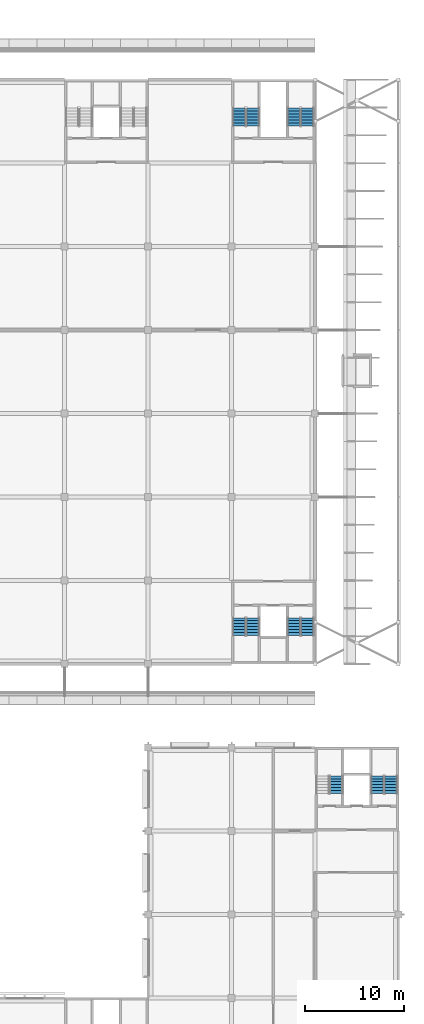
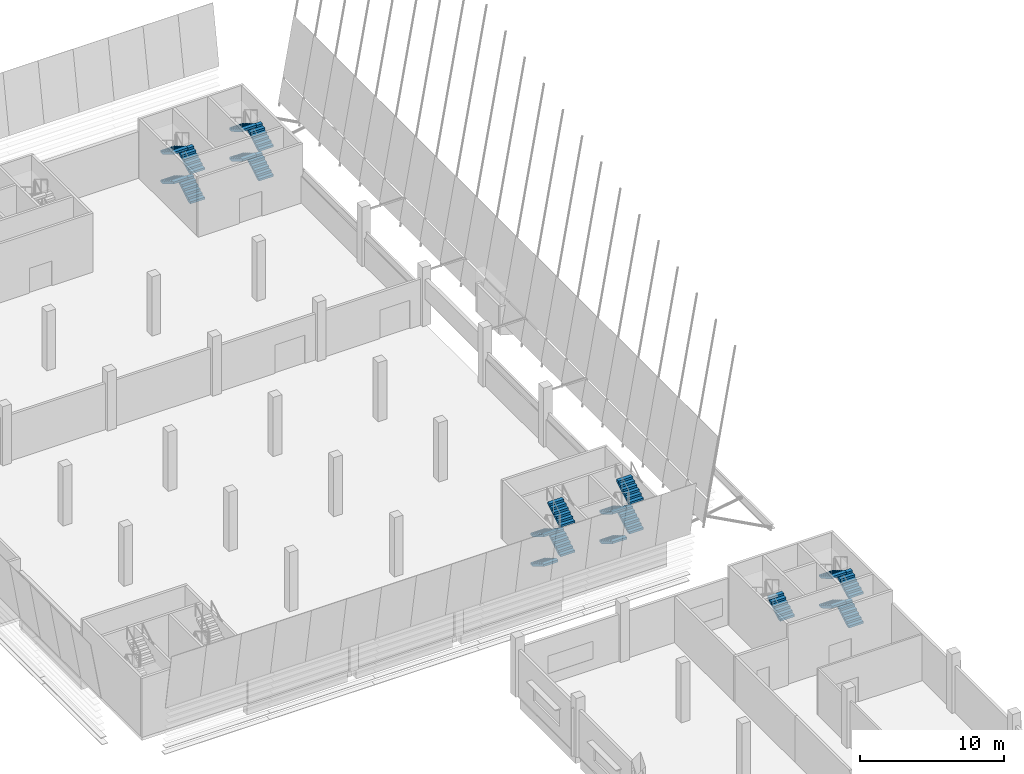
# One storey, part 31 of 82: 21 stair flights, 6 elements without a shape of their own.
"""IFC4 building model written with IfcOpenShell, lengths in metres."""

from ifc_helpers import new_model, si_unit, direction, frame, origin, place, context, subcontext, project, spatial, polyline, outline, extrude, material, type_object, element, aggregate, save


model = new_model("IFC4")

# Units and contexts
model_context = context("Model", 3, precision=1e-05, world=origin(), true_north=direction((0.0, 1.0)))
body_context = subcontext(model_context, "Body", "Model", "MODEL_VIEW")
ifc_project = project(units=[si_unit("LENGTHUNIT", "METRE"), si_unit("AREAUNIT", "SQUARE_METRE"), si_unit("VOLUMEUNIT", "CUBIC_METRE"), si_unit("PLANEANGLEUNIT", "RADIAN"), si_unit("MASSUNIT", "GRAM", prefix="KILO")], contexts=[model_context])

# Site, building, storey
site_placement = place(None, origin())
site = spatial("IfcSite", under=ifc_project, at=site_placement, CompositionType="ELEMENT")
building_placement = place(site_placement, origin())
building = spatial("IfcBuilding", under=site, at=building_placement, Name="Almond Square Museum", CompositionType="ELEMENT")
storey_placement = place(building_placement, frame((0.0, 0.0, 20.0)))
storey = spatial("IfcBuildingStorey", under=building, at=storey_placement, Name="L03", CompositionType="ELEMENT", Elevation=20.0)

# Stair, stair flights
ifc_material_1 = material(Name="Concrete C40/50", Category="concrete")
stair_type = type_object("IfcStairType", Name="Exit stair 28 risers of 179 mm", PredefinedType="HALF_TURN_STAIR", material=ifc_material_1)
stair_1_placement = place(storey_placement, origin())
stair_1 = element("IfcStair", 1, at=stair_1_placement, inside=storey, type_object=stair_type, Name="L03 stair H2-1", PredefinedType="HALF_TURN_STAIR")
ifc_material_2 = material(Name="Concrete C40/50", Category="concrete")
stair_flight_type = type_object("IfcStairFlightType", Name="Concrete flight", PredefinedType="STRAIGHT", material=ifc_material_2)
stair_flight_1_placement = place(storey_placement, frame((141.175048828125, 55.050048828125, 0.0), z_axis=(0.0, 0.0, 1.0), x_axis=(0.0, -1.0, 0.0)))
stair_flight_1 = element("IfcStairFlight", 2, at=stair_flight_1_placement, type_object=stair_flight_type, Name="ST-03 flight 1", NumberOfRisers=7, NumberOfTreads=6, PredefinedType="STRAIGHT", RiserHeight=0.178571429, TreadLength=0.3, context=body_context, shape_type="SweptSolid", body=[
    extrude(outline(polyline([(0.0, 0.0), (0.0, 0.178466796875), (0.300048828125, 0.178466796875), (0.300048828125, 0.357177734375), (0.60009765625, 0.357177734375), (0.60009765625, 0.53564453125), (0.89990234375, 0.53564453125), (0.89990234375, 0.71435546875), (1.199951171875, 0.71435546875), (1.199951171875, 0.892822265625), (1.5, 0.892822265625), (1.5, 1.071533203125), (1.800048828125, 1.071533203125), (1.800048828125, 1.25), (1.800048828125, 0.89697265625), (0.29296875, 0.0), (0.0, 0.0)])), frame((0.0, 0.574951171875, 0.0), z_axis=(0.0, -1.0, 0.0), x_axis=(1.0, 0.0, 0.0)), (0.0, 0.0, 1.0), 1.14990234375),
])
stair_flight_2_placement = place(storey_placement, frame((142.52490234375, 53.25, 1.25), z_axis=(0.0, 0.0, 1.0), x_axis=(0.0, 1.0, 0.0)))
stair_flight_2 = element("IfcStairFlight", 3, at=stair_flight_2_placement, type_object=stair_flight_type, Name="ST-03 flight 2", NumberOfRisers=7, NumberOfTreads=6, PredefinedType="STRAIGHT", RiserHeight=0.178571429, TreadLength=0.3, context=body_context, shape_type="SweptSolid", body=[
    extrude(outline(polyline([(0.0, 0.0), (0.0, 0.178466796875), (0.300048828125, 0.178466796875), (0.300048828125, 0.357177734375), (0.60009765625, 0.357177734375), (0.60009765625, 0.53564453125), (0.89990234375, 0.53564453125), (0.89990234375, 0.71435546875), (1.199951171875, 0.71435546875), (1.199951171875, 0.892822265625), (1.5, 0.892822265625), (1.5, 1.071533203125), (1.800048828125, 1.071533203125), (1.800048828125, 1.25), (1.800048828125, 0.89697265625), (0.29296875, 0.0), (0.0, 0.0)])), frame((0.0, 0.574951171875, 0.0), z_axis=(0.0, -1.0, 0.0), x_axis=(1.0, 0.0, 0.0)), (0.0, 0.0, 1.0), 1.14990234375),
])
stair_flight_3_placement = place(storey_placement, frame((141.175048828125, 55.050048828125, 2.5), z_axis=(0.0, 0.0, 1.0), x_axis=(0.0, -1.0, 0.0)))
stair_flight_3 = element("IfcStairFlight", 4, at=stair_flight_3_placement, type_object=stair_flight_type, Name="ST-03 flight 3", NumberOfRisers=7, NumberOfTreads=6, PredefinedType="STRAIGHT", RiserHeight=0.178571429, TreadLength=0.3, context=body_context, shape_type="SweptSolid", body=[
    extrude(outline(polyline([(0.0, 0.0), (0.0, 0.178466796875), (0.300048828125, 0.178466796875), (0.300048828125, 0.357177734375), (0.60009765625, 0.357177734375), (0.60009765625, 0.53564453125), (0.89990234375, 0.53564453125), (0.89990234375, 0.71435546875), (1.199951171875, 0.71435546875), (1.199951171875, 0.892822265625), (1.5, 0.892822265625), (1.5, 1.071533203125), (1.800048828125, 1.071533203125), (1.800048828125, 1.25), (1.800048828125, 0.89697265625), (0.29296875, 0.0), (0.0, 0.0)])), frame((0.0, 0.574951171875, 0.0), z_axis=(0.0, -1.0, 0.0), x_axis=(1.0, 0.0, 0.0)), (0.0, 0.0, 1.0), 1.14990234375),
])
stair_flight_4_placement = place(storey_placement, frame((142.52490234375, 53.25, 3.75), z_axis=(0.0, 0.0, 1.0), x_axis=(0.0, 1.0, 0.0)))
stair_flight_4 = element("IfcStairFlight", 5, at=stair_flight_4_placement, type_object=stair_flight_type, Name="ST-03 flight 4", NumberOfRisers=7, NumberOfTreads=6, PredefinedType="STRAIGHT", RiserHeight=0.178571429, TreadLength=0.3, context=body_context, shape_type="SweptSolid", body=[
    extrude(outline(polyline([(0.0, 0.0), (0.0, 0.178466796875), (0.300048828125, 0.178466796875), (0.300048828125, 0.357177734375), (0.60009765625, 0.357177734375), (0.60009765625, 0.53564453125), (0.89990234375, 0.53564453125), (0.89990234375, 0.71435546875), (1.199951171875, 0.71435546875), (1.199951171875, 0.892822265625), (1.5, 0.892822265625), (1.5, 1.071533203125), (1.800048828125, 1.071533203125), (1.800048828125, 1.25), (1.800048828125, 0.89697265625), (0.29296875, 0.0), (0.0, 0.0)])), frame((0.0, 0.574951171875, 0.0), z_axis=(0.0, -1.0, 0.0), x_axis=(1.0, 0.0, 0.0)), (0.0, 0.0, 1.0), 1.14990234375),
])
aggregate(stair_1, [stair_flight_1, stair_flight_2, stair_flight_3, stair_flight_4])

stair_2_placement = place(storey_placement, origin())
stair_2 = element("IfcStair", 6, at=stair_2_placement, inside=storey, type_object=stair_type, Name="L03 stair H2-2", PredefinedType="HALF_TURN_STAIR")
stair_flight_5_placement = place(storey_placement, frame((146.675048828125, 55.050048828125, 0.0), z_axis=(0.0, 0.0, 1.0), x_axis=(0.0, -1.0, 0.0)))
stair_flight_5 = element("IfcStairFlight", 7, at=stair_flight_5_placement, type_object=stair_flight_type, Name="ST-04 flight 1", NumberOfRisers=7, NumberOfTreads=6, PredefinedType="STRAIGHT", RiserHeight=0.178571429, TreadLength=0.3, context=body_context, shape_type="SweptSolid", body=[
    extrude(outline(polyline([(0.0, 0.0), (0.0, 0.178466796875), (0.300048828125, 0.178466796875), (0.300048828125, 0.357177734375), (0.60009765625, 0.357177734375), (0.60009765625, 0.53564453125), (0.89990234375, 0.53564453125), (0.89990234375, 0.71435546875), (1.199951171875, 0.71435546875), (1.199951171875, 0.892822265625), (1.5, 0.892822265625), (1.5, 1.071533203125), (1.800048828125, 1.071533203125), (1.800048828125, 1.25), (1.800048828125, 0.89697265625), (0.29296875, 0.0), (0.0, 0.0)])), frame((0.0, 0.574951171875, 0.0), z_axis=(0.0, -1.0, 0.0), x_axis=(1.0, 0.0, 0.0)), (0.0, 0.0, 1.0), 1.14990234375),
])
stair_flight_6_placement = place(storey_placement, frame((148.02490234375, 53.25, 1.25), z_axis=(0.0, 0.0, 1.0), x_axis=(0.0, 1.0, 0.0)))
stair_flight_6 = element("IfcStairFlight", 8, at=stair_flight_6_placement, type_object=stair_flight_type, Name="ST-04 flight 2", NumberOfRisers=7, NumberOfTreads=6, PredefinedType="STRAIGHT", RiserHeight=0.178571429, TreadLength=0.3, context=body_context, shape_type="SweptSolid", body=[
    extrude(outline(polyline([(0.0, 0.0), (0.0, 0.178466796875), (0.300048828125, 0.178466796875), (0.300048828125, 0.357177734375), (0.60009765625, 0.357177734375), (0.60009765625, 0.53564453125), (0.89990234375, 0.53564453125), (0.89990234375, 0.71435546875), (1.199951171875, 0.71435546875), (1.199951171875, 0.892822265625), (1.5, 0.892822265625), (1.5, 1.071533203125), (1.800048828125, 1.071533203125), (1.800048828125, 1.25), (1.800048828125, 0.89697265625), (0.29296875, 0.0), (0.0, 0.0)])), frame((0.0, 0.574951171875, 0.0), z_axis=(0.0, -1.0, 0.0), x_axis=(1.0, 0.0, 0.0)), (0.0, 0.0, 1.0), 1.14990234375),
])
stair_flight_7_placement = place(storey_placement, frame((146.675048828125, 55.050048828125, 2.5), z_axis=(0.0, 0.0, 1.0), x_axis=(0.0, -1.0, 0.0)))
stair_flight_7 = element("IfcStairFlight", 9, at=stair_flight_7_placement, type_object=stair_flight_type, Name="ST-04 flight 3", NumberOfRisers=7, NumberOfTreads=6, PredefinedType="STRAIGHT", RiserHeight=0.178571429, TreadLength=0.3, context=body_context, shape_type="SweptSolid", body=[
    extrude(outline(polyline([(0.0, 0.0), (0.0, 0.178466796875), (0.300048828125, 0.178466796875), (0.300048828125, 0.357177734375), (0.60009765625, 0.357177734375), (0.60009765625, 0.53564453125), (0.89990234375, 0.53564453125), (0.89990234375, 0.71435546875), (1.199951171875, 0.71435546875), (1.199951171875, 0.892822265625), (1.5, 0.892822265625), (1.5, 1.071533203125), (1.800048828125, 1.071533203125), (1.800048828125, 1.25), (1.800048828125, 0.89697265625), (0.29296875, 0.0), (0.0, 0.0)])), frame((0.0, 0.574951171875, 0.0), z_axis=(0.0, -1.0, 0.0), x_axis=(1.0, 0.0, 0.0)), (0.0, 0.0, 1.0), 1.14990234375),
])
stair_flight_8_placement = place(storey_placement, frame((148.02490234375, 53.25, 3.75), z_axis=(0.0, 0.0, 1.0), x_axis=(0.0, 1.0, 0.0)))
stair_flight_8 = element("IfcStairFlight", 10, at=stair_flight_8_placement, type_object=stair_flight_type, Name="ST-04 flight 4", NumberOfRisers=7, NumberOfTreads=6, PredefinedType="STRAIGHT", RiserHeight=0.178571429, TreadLength=0.3, context=body_context, shape_type="SweptSolid", body=[
    extrude(outline(polyline([(0.0, 0.0), (0.0, 0.178466796875), (0.300048828125, 0.178466796875), (0.300048828125, 0.357177734375), (0.60009765625, 0.357177734375), (0.60009765625, 0.53564453125), (0.89990234375, 0.53564453125), (0.89990234375, 0.71435546875), (1.199951171875, 0.71435546875), (1.199951171875, 0.892822265625), (1.5, 0.892822265625), (1.5, 1.071533203125), (1.800048828125, 1.071533203125), (1.800048828125, 1.25), (1.800048828125, 0.89697265625), (0.29296875, 0.0), (0.0, 0.0)])), frame((0.0, 0.574951171875, 0.0), z_axis=(0.0, -1.0, 0.0), x_axis=(1.0, 0.0, 0.0)), (0.0, 0.0, 1.0), 1.14990234375),
])
aggregate(stair_2, [stair_flight_5, stair_flight_6, stair_flight_7, stair_flight_8])

stair_3_placement = place(storey_placement, origin())
stair_3 = element("IfcStair", 11, at=stair_3_placement, inside=storey, type_object=stair_type, Name="L03 stair H3-1", PredefinedType="HALF_TURN_STAIR")
stair_flight_9_placement = place(storey_placement, frame((142.52490234375, 104.550048828125, 0.0), z_axis=(0.0, 0.0, 1.0), x_axis=(0.0, 1.0, 0.0)))
stair_flight_9 = element("IfcStairFlight", 12, at=stair_flight_9_placement, type_object=stair_flight_type, Name="ST-05 flight 1", NumberOfRisers=7, NumberOfTreads=6, PredefinedType="STRAIGHT", RiserHeight=0.178571429, TreadLength=0.3, context=body_context, shape_type="SweptSolid", body=[
    extrude(outline(polyline([(0.0, 0.0), (0.0, 0.178466796875), (0.300048828125, 0.178466796875), (0.300048828125, 0.357177734375), (0.60009765625, 0.357177734375), (0.60009765625, 0.53564453125), (0.89990234375, 0.53564453125), (0.89990234375, 0.71435546875), (1.199951171875, 0.71435546875), (1.199951171875, 0.892822265625), (1.5, 0.892822265625), (1.5, 1.071533203125), (1.800048828125, 1.071533203125), (1.800048828125, 1.25), (1.800048828125, 0.89697265625), (0.29296875, 0.0), (0.0, 0.0)])), frame((0.0, 0.574951171875, 0.0), z_axis=(0.0, -1.0, 0.0), x_axis=(1.0, 0.0, 0.0)), (0.0, 0.0, 1.0), 1.14990234375),
])
stair_flight_10_placement = place(storey_placement, frame((141.175048828125, 106.35009765625, 1.25), z_axis=(0.0, 0.0, 1.0), x_axis=(0.0, -1.0, 0.0)))
stair_flight_10 = element("IfcStairFlight", 13, at=stair_flight_10_placement, type_object=stair_flight_type, Name="ST-05 flight 2", NumberOfRisers=7, NumberOfTreads=6, PredefinedType="STRAIGHT", RiserHeight=0.178571429, TreadLength=0.3, context=body_context, shape_type="SweptSolid", body=[
    extrude(outline(polyline([(0.0, 0.0), (0.0, 0.178466796875), (0.300048828125, 0.178466796875), (0.300048828125, 0.357177734375), (0.60009765625, 0.357177734375), (0.60009765625, 0.53564453125), (0.89990234375, 0.53564453125), (0.89990234375, 0.71435546875), (1.199951171875, 0.71435546875), (1.199951171875, 0.892822265625), (1.5, 0.892822265625), (1.5, 1.071533203125), (1.800048828125, 1.071533203125), (1.800048828125, 1.25), (1.800048828125, 0.89697265625), (0.29296875, 0.0), (0.0, 0.0)])), frame((0.0, 0.574951171875, 0.0), z_axis=(0.0, -1.0, 0.0), x_axis=(1.0, 0.0, 0.0)), (0.0, 0.0, 1.0), 1.14990234375),
])
stair_flight_11_placement = place(storey_placement, frame((142.52490234375, 104.550048828125, 2.5), z_axis=(0.0, 0.0, 1.0), x_axis=(0.0, 1.0, 0.0)))
stair_flight_11 = element("IfcStairFlight", 14, at=stair_flight_11_placement, type_object=stair_flight_type, Name="ST-05 flight 3", NumberOfRisers=7, NumberOfTreads=6, PredefinedType="STRAIGHT", RiserHeight=0.178571429, TreadLength=0.3, context=body_context, shape_type="SweptSolid", body=[
    extrude(outline(polyline([(0.0, 0.0), (0.0, 0.178466796875), (0.300048828125, 0.178466796875), (0.300048828125, 0.357177734375), (0.60009765625, 0.357177734375), (0.60009765625, 0.53564453125), (0.89990234375, 0.53564453125), (0.89990234375, 0.71435546875), (1.199951171875, 0.71435546875), (1.199951171875, 0.892822265625), (1.5, 0.892822265625), (1.5, 1.071533203125), (1.800048828125, 1.071533203125), (1.800048828125, 1.25), (1.800048828125, 0.89697265625), (0.29296875, 0.0), (0.0, 0.0)])), frame((0.0, 0.574951171875, 0.0), z_axis=(0.0, -1.0, 0.0), x_axis=(1.0, 0.0, 0.0)), (0.0, 0.0, 1.0), 1.14990234375),
])
stair_flight_12_placement = place(storey_placement, frame((141.175048828125, 106.35009765625, 3.75), z_axis=(0.0, 0.0, 1.0), x_axis=(0.0, -1.0, 0.0)))
stair_flight_12 = element("IfcStairFlight", 15, at=stair_flight_12_placement, type_object=stair_flight_type, Name="ST-05 flight 4", NumberOfRisers=7, NumberOfTreads=6, PredefinedType="STRAIGHT", RiserHeight=0.178571429, TreadLength=0.3, context=body_context, shape_type="SweptSolid", body=[
    extrude(outline(polyline([(0.0, 0.0), (0.0, 0.178466796875), (0.300048828125, 0.178466796875), (0.300048828125, 0.357177734375), (0.60009765625, 0.357177734375), (0.60009765625, 0.53564453125), (0.89990234375, 0.53564453125), (0.89990234375, 0.71435546875), (1.199951171875, 0.71435546875), (1.199951171875, 0.892822265625), (1.5, 0.892822265625), (1.5, 1.071533203125), (1.800048828125, 1.071533203125), (1.800048828125, 1.25), (1.800048828125, 0.89697265625), (0.29296875, 0.0), (0.0, 0.0)])), frame((0.0, 0.574951171875, 0.0), z_axis=(0.0, -1.0, 0.0), x_axis=(1.0, 0.0, 0.0)), (0.0, 0.0, 1.0), 1.14990234375),
])
aggregate(stair_3, [stair_flight_9, stair_flight_10, stair_flight_11, stair_flight_12])

stair_4_placement = place(storey_placement, origin())
stair_4 = element("IfcStair", 16, at=stair_4_placement, inside=storey, type_object=stair_type, Name="L03 stair H3-2", PredefinedType="HALF_TURN_STAIR")
stair_flight_13_placement = place(storey_placement, frame((148.02490234375, 104.550048828125, 0.0), z_axis=(0.0, 0.0, 1.0), x_axis=(0.0, 1.0, 0.0)))
stair_flight_13 = element("IfcStairFlight", 17, at=stair_flight_13_placement, type_object=stair_flight_type, Name="ST-06 flight 1", NumberOfRisers=7, NumberOfTreads=6, PredefinedType="STRAIGHT", RiserHeight=0.178571429, TreadLength=0.3, context=body_context, shape_type="SweptSolid", body=[
    extrude(outline(polyline([(0.0, 0.0), (0.0, 0.178466796875), (0.300048828125, 0.178466796875), (0.300048828125, 0.357177734375), (0.60009765625, 0.357177734375), (0.60009765625, 0.53564453125), (0.89990234375, 0.53564453125), (0.89990234375, 0.71435546875), (1.199951171875, 0.71435546875), (1.199951171875, 0.892822265625), (1.5, 0.892822265625), (1.5, 1.071533203125), (1.800048828125, 1.071533203125), (1.800048828125, 1.25), (1.800048828125, 0.89697265625), (0.29296875, 0.0), (0.0, 0.0)])), frame((0.0, 0.574951171875, 0.0), z_axis=(0.0, -1.0, 0.0), x_axis=(1.0, 0.0, 0.0)), (0.0, 0.0, 1.0), 1.14990234375),
])
stair_flight_14_placement = place(storey_placement, frame((146.675048828125, 106.35009765625, 1.25), z_axis=(0.0, 0.0, 1.0), x_axis=(0.0, -1.0, 0.0)))
stair_flight_14 = element("IfcStairFlight", 18, at=stair_flight_14_placement, type_object=stair_flight_type, Name="ST-06 flight 2", NumberOfRisers=7, NumberOfTreads=6, PredefinedType="STRAIGHT", RiserHeight=0.178571429, TreadLength=0.3, context=body_context, shape_type="SweptSolid", body=[
    extrude(outline(polyline([(0.0, 0.0), (0.0, 0.178466796875), (0.300048828125, 0.178466796875), (0.300048828125, 0.357177734375), (0.60009765625, 0.357177734375), (0.60009765625, 0.53564453125), (0.89990234375, 0.53564453125), (0.89990234375, 0.71435546875), (1.199951171875, 0.71435546875), (1.199951171875, 0.892822265625), (1.5, 0.892822265625), (1.5, 1.071533203125), (1.800048828125, 1.071533203125), (1.800048828125, 1.25), (1.800048828125, 0.89697265625), (0.29296875, 0.0), (0.0, 0.0)])), frame((0.0, 0.574951171875, 0.0), z_axis=(0.0, -1.0, 0.0), x_axis=(1.0, 0.0, 0.0)), (0.0, 0.0, 1.0), 1.14990234375),
])
stair_flight_15_placement = place(storey_placement, frame((148.02490234375, 104.550048828125, 2.5), z_axis=(0.0, 0.0, 1.0), x_axis=(0.0, 1.0, 0.0)))
stair_flight_15 = element("IfcStairFlight", 19, at=stair_flight_15_placement, type_object=stair_flight_type, Name="ST-06 flight 3", NumberOfRisers=7, NumberOfTreads=6, PredefinedType="STRAIGHT", RiserHeight=0.178571429, TreadLength=0.3, context=body_context, shape_type="SweptSolid", body=[
    extrude(outline(polyline([(0.0, 0.0), (0.0, 0.178466796875), (0.300048828125, 0.178466796875), (0.300048828125, 0.357177734375), (0.60009765625, 0.357177734375), (0.60009765625, 0.53564453125), (0.89990234375, 0.53564453125), (0.89990234375, 0.71435546875), (1.199951171875, 0.71435546875), (1.199951171875, 0.892822265625), (1.5, 0.892822265625), (1.5, 1.071533203125), (1.800048828125, 1.071533203125), (1.800048828125, 1.25), (1.800048828125, 0.89697265625), (0.29296875, 0.0), (0.0, 0.0)])), frame((0.0, 0.574951171875, 0.0), z_axis=(0.0, -1.0, 0.0), x_axis=(1.0, 0.0, 0.0)), (0.0, 0.0, 1.0), 1.14990234375),
])
stair_flight_16_placement = place(storey_placement, frame((146.675048828125, 106.35009765625, 3.75), z_axis=(0.0, 0.0, 1.0), x_axis=(0.0, -1.0, 0.0)))
stair_flight_16 = element("IfcStairFlight", 20, at=stair_flight_16_placement, type_object=stair_flight_type, Name="ST-06 flight 4", NumberOfRisers=7, NumberOfTreads=6, PredefinedType="STRAIGHT", RiserHeight=0.178571429, TreadLength=0.3, context=body_context, shape_type="SweptSolid", body=[
    extrude(outline(polyline([(0.0, 0.0), (0.0, 0.178466796875), (0.300048828125, 0.178466796875), (0.300048828125, 0.357177734375), (0.60009765625, 0.357177734375), (0.60009765625, 0.53564453125), (0.89990234375, 0.53564453125), (0.89990234375, 0.71435546875), (1.199951171875, 0.71435546875), (1.199951171875, 0.892822265625), (1.5, 0.892822265625), (1.5, 1.071533203125), (1.800048828125, 1.071533203125), (1.800048828125, 1.25), (1.800048828125, 0.89697265625), (0.29296875, 0.0), (0.0, 0.0)])), frame((0.0, 0.574951171875, 0.0), z_axis=(0.0, -1.0, 0.0), x_axis=(1.0, 0.0, 0.0)), (0.0, 0.0, 1.0), 1.14990234375),
])
aggregate(stair_4, [stair_flight_13, stair_flight_14, stair_flight_15, stair_flight_16])

# Stair, stair flight
stair_5_placement = place(storey_placement, origin())
stair_5 = element("IfcStair", 21, at=stair_5_placement, inside=storey, type_object=stair_type, Name="L03 stair X1-1", PredefinedType="HALF_TURN_STAIR")
stair_flight_17_placement = place(storey_placement, frame((150.925048828125, 37.35009765625, 2.5), z_axis=(0.0, 0.0, 1.0), x_axis=(0.0, 1.0, 0.0)))
stair_flight_17 = element("IfcStairFlight", 22, at=stair_flight_17_placement, type_object=stair_flight_type, Name="ST-33 flight 3", NumberOfRisers=7, NumberOfTreads=6, PredefinedType="STRAIGHT", RiserHeight=0.178571429, TreadLength=0.3, context=body_context, shape_type="SweptSolid", body=[
    extrude(outline(polyline([(0.0, 0.0), (0.0, 0.178466796875), (0.300048828125, 0.178466796875), (0.300048828125, 0.357177734375), (0.60009765625, 0.357177734375), (0.60009765625, 0.53564453125), (0.89990234375, 0.53564453125), (0.89990234375, 0.71435546875), (1.199951171875, 0.71435546875), (1.199951171875, 0.892822265625), (1.5, 0.892822265625), (1.5, 1.071533203125), (1.800048828125, 1.071533203125), (1.800048828125, 1.25), (1.800048828125, 0.89697265625), (0.29296875, 0.0), (0.0, 0.0)])), frame((0.0, 0.574951171875, 0.0), z_axis=(0.0, -1.0, 0.0), x_axis=(1.0, 0.0, 0.0)), (0.0, 0.0, 1.0), 1.14990234375),
])
aggregate(stair_5, [stair_flight_17])

# Stair, stair flights
stair_6_placement = place(storey_placement, origin())
stair_6 = element("IfcStair", 23, at=stair_6_placement, inside=storey, type_object=stair_type, Name="L03 stair X1-2", PredefinedType="HALF_TURN_STAIR")
stair_flight_18_placement = place(storey_placement, frame((156.425048828125, 37.35009765625, 0.0), z_axis=(0.0, 0.0, 1.0), x_axis=(0.0, 1.0, 0.0)))
stair_flight_18 = element("IfcStairFlight", 24, at=stair_flight_18_placement, type_object=stair_flight_type, Name="ST-34 flight 1", NumberOfRisers=7, NumberOfTreads=6, PredefinedType="STRAIGHT", RiserHeight=0.178571429, TreadLength=0.3, context=body_context, shape_type="SweptSolid", body=[
    extrude(outline(polyline([(0.0, 0.0), (0.0, 0.178466796875), (0.300048828125, 0.178466796875), (0.300048828125, 0.357177734375), (0.60009765625, 0.357177734375), (0.60009765625, 0.53564453125), (0.89990234375, 0.53564453125), (0.89990234375, 0.71435546875), (1.199951171875, 0.71435546875), (1.199951171875, 0.892822265625), (1.5, 0.892822265625), (1.5, 1.071533203125), (1.800048828125, 1.071533203125), (1.800048828125, 1.25), (1.800048828125, 0.89697265625), (0.29296875, 0.0), (0.0, 0.0)])), frame((0.0, 0.574951171875, 0.0), z_axis=(0.0, -1.0, 0.0), x_axis=(1.0, 0.0, 0.0)), (0.0, 0.0, 1.0), 1.14990234375),
])
stair_flight_19_placement = place(storey_placement, frame((155.074951171875, 39.14990234375, 1.25), z_axis=(0.0, 0.0, 1.0), x_axis=(0.0, -1.0, 0.0)))
stair_flight_19 = element("IfcStairFlight", 25, at=stair_flight_19_placement, type_object=stair_flight_type, Name="ST-34 flight 2", NumberOfRisers=7, NumberOfTreads=6, PredefinedType="STRAIGHT", RiserHeight=0.178571429, TreadLength=0.3, context=body_context, shape_type="SweptSolid", body=[
    extrude(outline(polyline([(0.0, 0.0), (0.0, 0.178466796875), (0.300048828125, 0.178466796875), (0.300048828125, 0.357177734375), (0.60009765625, 0.357177734375), (0.60009765625, 0.53564453125), (0.89990234375, 0.53564453125), (0.89990234375, 0.71435546875), (1.199951171875, 0.71435546875), (1.199951171875, 0.892822265625), (1.5, 0.892822265625), (1.5, 1.071533203125), (1.800048828125, 1.071533203125), (1.800048828125, 1.25), (1.800048828125, 0.89697265625), (0.29296875, 0.0), (0.0, 0.0)])), frame((0.0, 0.574951171875, 0.0), z_axis=(0.0, -1.0, 0.0), x_axis=(1.0, 0.0, 0.0)), (0.0, 0.0, 1.0), 1.14990234375),
])
stair_flight_20_placement = place(storey_placement, frame((156.425048828125, 37.35009765625, 2.5), z_axis=(0.0, 0.0, 1.0), x_axis=(0.0, 1.0, 0.0)))
stair_flight_20 = element("IfcStairFlight", 26, at=stair_flight_20_placement, type_object=stair_flight_type, Name="ST-34 flight 3", NumberOfRisers=7, NumberOfTreads=6, PredefinedType="STRAIGHT", RiserHeight=0.178571429, TreadLength=0.3, context=body_context, shape_type="SweptSolid", body=[
    extrude(outline(polyline([(0.0, 0.0), (0.0, 0.178466796875), (0.300048828125, 0.178466796875), (0.300048828125, 0.357177734375), (0.60009765625, 0.357177734375), (0.60009765625, 0.53564453125), (0.89990234375, 0.53564453125), (0.89990234375, 0.71435546875), (1.199951171875, 0.71435546875), (1.199951171875, 0.892822265625), (1.5, 0.892822265625), (1.5, 1.071533203125), (1.800048828125, 1.071533203125), (1.800048828125, 1.25), (1.800048828125, 0.89697265625), (0.29296875, 0.0), (0.0, 0.0)])), frame((0.0, 0.574951171875, 0.0), z_axis=(0.0, -1.0, 0.0), x_axis=(1.0, 0.0, 0.0)), (0.0, 0.0, 1.0), 1.14990234375),
])
stair_flight_21_placement = place(storey_placement, frame((155.074951171875, 39.14990234375, 3.75), z_axis=(0.0, 0.0, 1.0), x_axis=(0.0, -1.0, 0.0)))
stair_flight_21 = element("IfcStairFlight", 27, at=stair_flight_21_placement, type_object=stair_flight_type, Name="ST-34 flight 4", NumberOfRisers=7, NumberOfTreads=6, PredefinedType="STRAIGHT", RiserHeight=0.178571429, TreadLength=0.3, context=body_context, shape_type="SweptSolid", body=[
    extrude(outline(polyline([(0.0, 0.0), (0.0, 0.178466796875), (0.300048828125, 0.178466796875), (0.300048828125, 0.357177734375), (0.60009765625, 0.357177734375), (0.60009765625, 0.53564453125), (0.89990234375, 0.53564453125), (0.89990234375, 0.71435546875), (1.199951171875, 0.71435546875), (1.199951171875, 0.892822265625), (1.5, 0.892822265625), (1.5, 1.071533203125), (1.800048828125, 1.071533203125), (1.800048828125, 1.25), (1.800048828125, 0.89697265625), (0.29296875, 0.0), (0.0, 0.0)])), frame((0.0, 0.574951171875, 0.0), z_axis=(0.0, -1.0, 0.0), x_axis=(1.0, 0.0, 0.0)), (0.0, 0.0, 1.0), 1.14990234375),
])
aggregate(stair_6, [stair_flight_18, stair_flight_19, stair_flight_20, stair_flight_21])

save(model, "model.ifc")
